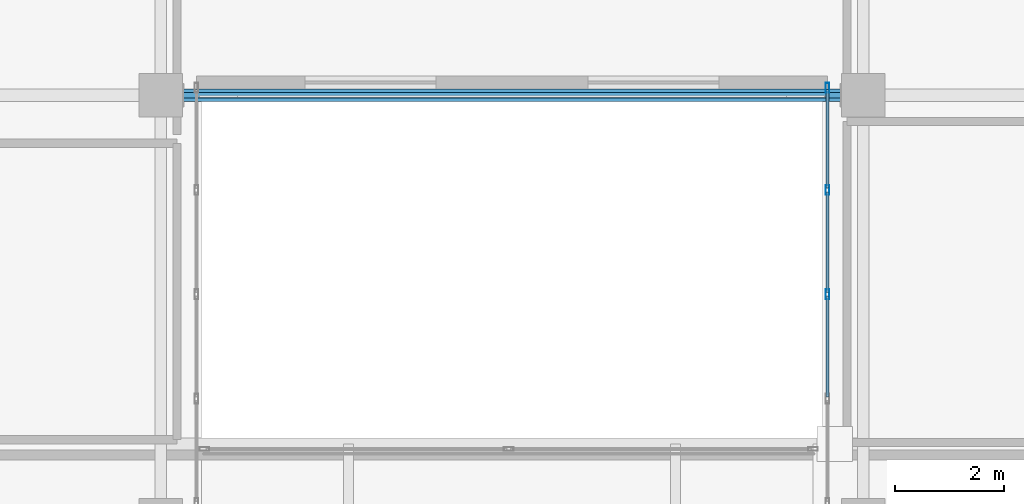
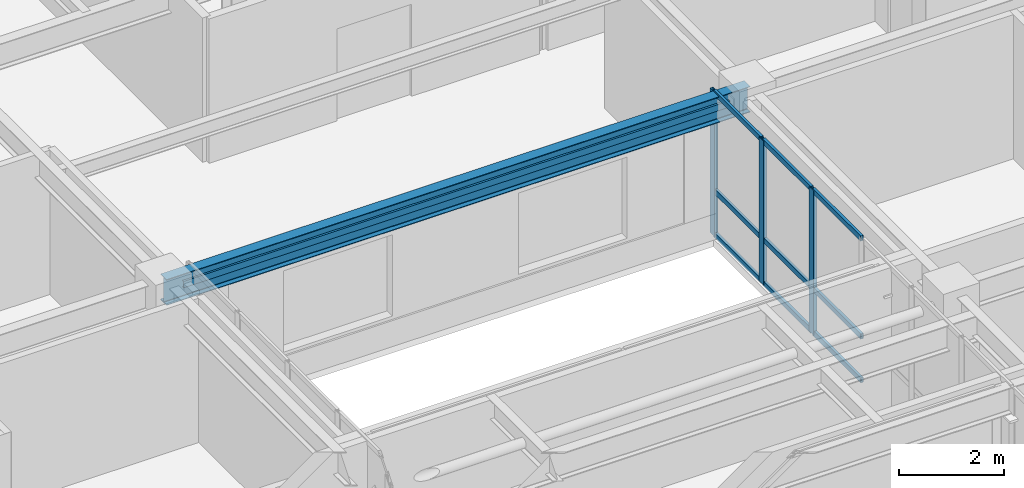
# One storey, part 6 of 26: 13 members, 1 beam, 1 element without a shape of its own.
"""IFC4 building model written with IfcOpenShell, lengths in metres."""

from ifc_helpers import new_model, si_unit, direction, frame, origin, origin_2d, place, context, subcontext, project, spatial, hollow_rectangle, i_section, extrude, source, transform, mapped, material, layer, layer_set, material_profile, profile_set, type_object, type_shapes, element, aggregate, save


model = new_model("IFC4")

# Units and contexts
model_context = context("Model", 3, precision=1e-05, world=origin(), true_north=direction((0.0, 1.0)))
body_context = subcontext(model_context, "Body", "Model", "MODEL_VIEW")
ifc_project = project(units=[si_unit("LENGTHUNIT", "METRE"), si_unit("AREAUNIT", "SQUARE_METRE"), si_unit("VOLUMEUNIT", "CUBIC_METRE"), si_unit("PLANEANGLEUNIT", "RADIAN"), si_unit("MASSUNIT", "GRAM", prefix="KILO")], contexts=[model_context])

# Site, building, storey
site_placement = place(None, origin())
site = spatial("IfcSite", under=ifc_project, at=site_placement, CompositionType="ELEMENT")
building_placement = place(site_placement, origin())
building = spatial("IfcBuilding", under=site, at=building_placement, Name="Tolvann Quenvar Hotel", CompositionType="ELEMENT")
storey_placement = place(building_placement, frame((0.0, 0.0, 168.35009765625)))
storey = spatial("IfcBuildingStorey", under=building, at=storey_placement, Name="L44", CompositionType="ELEMENT", Elevation=168.35009765625)

# Beam
ifc_material_1 = material(Name="Steel Grade 350", Category="steel")
ifc_material_profile_1 = material_profile(ifc_material_1, i_section(OverallWidth=0.22802734375, OverallDepth=0.60205078125, WebThickness=0.010498046875, FlangeThickness=0.014892578125, FilletRadius=0.013916015625, at=origin_2d()), Name="610UB101")
ifc_profile_set_1 = profile_set([ifc_material_profile_1], Name="Steel Grade 350")
beam_type = type_object("IfcBeamType", Name="BM_GIRD_610UB101", PredefinedType="BEAM", material=ifc_profile_set_1)
shared_shape_1 = source(origin(), body_context, "Body", "SweptSolid", [
    extrude(i_section(OverallWidth=0.22802734375, OverallDepth=0.60205078125, WebThickness=0.010498046875, FlangeThickness=0.014892578125, FilletRadius=0.013916015625, at=origin_2d()), origin(), (0.0, 0.0, 1.0), 12.89990234375),
])
type_shapes(beam_type, [shared_shape_1])
beam_placement = place(storey_placement, frame((22.050048828125, 16.0, 3.06884765625), z_axis=(1.0, 0.0, 0.0), x_axis=(0.0, 1.0, 0.0)))
element("IfcBeam", 1, at=beam_placement, inside=storey, type_object=beam_type, Name="BM-L44-EW-4-E4-F4", PredefinedType="BEAM", context=body_context, shape_type="MappedRepresentation", body=[
    mapped(shared_shape_1, transform((0.0, 0.0, 0.0), x_axis=(1.0, 0.0, 0.0), y_axis=(0.0, 1.0, 0.0), z_axis=(0.0, 0.0, 1.0), scale=1.0)),
])

# Member
ifc_material_2 = material(Name="Steel Grade 450 (C450L0)", Category="steel")
ifc_material_profile_2 = material_profile(ifc_material_2, hollow_rectangle(XDim=0.10009765625, YDim=0.14990234375, WallThickness=0.006103515625, at=origin_2d()), Name="150x100x6RHS")
ifc_profile_set_2 = profile_set([ifc_material_profile_2], Name="Steel Grade 450 (C450L0)")
member_type_1 = type_object("IfcMemberType", Name="MEM_GIRT_150RHS", PredefinedType="CHORD", material=ifc_profile_set_2)
shared_shape_2 = source(origin(), body_context, "Body", "SweptSolid", [
    extrude(hollow_rectangle(XDim=0.10009765625, YDim=0.14990234375, WallThickness=0.006103515625, at=origin_2d()), origin(), (0.0, 0.0, 1.0), 12.06982421875),
])
type_shapes(member_type_1, [shared_shape_2])
member_1_placement = place(storey_placement, frame((22.465087890625, 16.0, 3.06982421875), z_axis=(1.0, 0.0, 0.0), x_axis=(0.0, 1.0, 0.0)))
element("IfcMember", 2, at=member_1_placement, inside=storey, type_object=member_type_1, Name="Atrium Slot Spandrel Girt (L44)", PredefinedType="CHORD", context=body_context, shape_type="MappedRepresentation", body=[
    mapped(shared_shape_2, transform((0.0, 0.0, 0.0), x_axis=(1.0, 0.0, 0.0), y_axis=(0.0, 1.0, 0.0), z_axis=(0.0, 0.0, 1.0), scale=1.0)),
])

# Curtain wall, members
ifc_material_3 = material(Name="Thermally broken anodised architectural aluminium 6063-T6 and laminated low-E glass", Category="aluminium")
ifc_layer = layer(ifc_material_3, 0.179931640625)
ifc_layer_set = layer_set([ifc_layer], Name="Thermally broken anodised architectural aluminium 6063-T6 and laminated low-E glass")
curtain_wall_type = type_object("IfcCurtainWallType", Name="CW_SYS_SLOT_03", PredefinedType="USERDEFINED", material=ifc_layer_set)
curtain_wall_placement = place(storey_placement, origin())
curtain_wall = element("IfcCurtainWall", 3, at=curtain_wall_placement, inside=storey, type_object=curtain_wall_type, Name="Curtain Wall CW-SLOT-03 (CWR-L44-E07)", ObjectType="UNITISED CURTAIN WALL", PredefinedType="USERDEFINED")
ifc_material_4 = material(Name="Anodised architectural aluminium 6063-T6 framing", Category="aluminium")
ifc_material_profile_3 = material_profile(ifc_material_4, hollow_rectangle(XDim=0.070068359375, YDim=0.179931640625, WallThickness=0.00390625, at=origin_2d()), Name="180x70x4RHS")
ifc_profile_set_3 = profile_set([ifc_material_profile_3], Name="Anodised architectural aluminium 6063-T6 framing")
member_type_2 = type_object("IfcMemberType", Name="CW_MULL_180x70", PredefinedType="MULLION", material=ifc_profile_set_3)
shared_shape_3 = source(origin(), body_context, "Body", "SweptSolid", [
    extrude(hollow_rectangle(XDim=0.070068359375, YDim=0.179931640625, WallThickness=0.00390625, at=origin_2d()), origin(), (0.0, 0.0, 1.0), 3.369873046875),
])
type_shapes(member_type_2, [shared_shape_3])
member_2_placement = place(storey_placement, frame((34.2900390625, 16.139892578125, 0.0), z_axis=(0.0, 0.0, 1.0), x_axis=(1.0, 0.0, 0.0)))
member_2 = element("IfcMember", 4, at=member_2_placement, type_object=member_type_2, Name="CW-SLOT-03 mullion 1", PredefinedType="MULLION", context=body_context, shape_type="MappedRepresentation", body=[
    mapped(shared_shape_3, transform((0.0, 0.0, 0.0), x_axis=(1.0, 0.0, 0.0), y_axis=(0.0, 1.0, 0.0), z_axis=(0.0, 0.0, 1.0), scale=1.0)),
])
member_3_placement = place(storey_placement, frame((34.2900390625, 14.2607421875, 0.0), z_axis=(0.0, 0.0, 1.0), x_axis=(1.0, 0.0, 0.0)))
member_3 = element("IfcMember", 5, at=member_3_placement, type_object=member_type_2, Name="CW-SLOT-03 mullion 2", PredefinedType="MULLION", context=body_context, shape_type="MappedRepresentation", body=[
    mapped(shared_shape_3, transform((0.0, 0.0, 0.0), x_axis=(1.0, 0.0, 0.0), y_axis=(0.0, 1.0, 0.0), z_axis=(0.0, 0.0, 1.0), scale=1.0)),
])
member_4_placement = place(storey_placement, frame((34.2900390625, 12.346435546875, 0.0), z_axis=(0.0, 0.0, 1.0), x_axis=(1.0, 0.0, 0.0)))
member_4 = element("IfcMember", 6, at=member_4_placement, type_object=member_type_2, Name="CW-SLOT-03 mullion 3", PredefinedType="MULLION", context=body_context, shape_type="MappedRepresentation", body=[
    mapped(shared_shape_3, transform((0.0, 0.0, 0.0), x_axis=(1.0, 0.0, 0.0), y_axis=(0.0, 1.0, 0.0), z_axis=(0.0, 0.0, 1.0), scale=1.0)),
])
ifc_material_profile_4 = material_profile(ifc_material_4, hollow_rectangle(XDim=0.06005859375, YDim=0.1201171875, WallThickness=0.00341796875, at=origin_2d()), Name="120x60x3.5RHS")
ifc_profile_set_4 = profile_set([ifc_material_profile_4], Name="Anodised architectural aluminium 6063-T6 framing")
member_type_3 = type_object("IfcMemberType", Name="CW_TRAN_120x60", PredefinedType="USERDEFINED", material=ifc_profile_set_4)
shared_shape_4 = source(origin(), body_context, "Body", "SweptSolid", [
    extrude(hollow_rectangle(XDim=0.06005859375, YDim=0.1201171875, WallThickness=0.00341796875, at=origin_2d()), origin(), (0.0, 0.0, 1.0), 1.809326171875),
])
member_5_placement = place(storey_placement, frame((34.2900390625, 16.10498046875, 0.02978515625), z_axis=(0.0, -1.0, 0.0), x_axis=(1.0, 0.0, 0.0)))
member_5 = element("IfcMember", 7, at=member_5_placement, type_object=member_type_3, Name="CW-SLOT-03 transom 1.1", ObjectType="TRANSOM", PredefinedType="USERDEFINED", context=body_context, shape_type="MappedRepresentation", body=[
    mapped(shared_shape_4, transform((0.0, 0.0, 0.0), x_axis=(1.0, 0.0, 0.0), y_axis=(0.0, 1.0, 0.0), z_axis=(0.0, 0.0, 1.0), scale=1.0)),
])
member_6_placement = place(storey_placement, frame((34.2900390625, 16.10498046875, 1.0498046875), z_axis=(0.0, -1.0, 0.0), x_axis=(1.0, 0.0, 0.0)))
member_6 = element("IfcMember", 8, at=member_6_placement, type_object=member_type_3, Name="CW-SLOT-03 transom 1.2", ObjectType="TRANSOM", PredefinedType="USERDEFINED", context=body_context, shape_type="MappedRepresentation", body=[
    mapped(shared_shape_4, transform((0.0, 0.0, 0.0), x_axis=(1.0, 0.0, 0.0), y_axis=(0.0, 1.0, 0.0), z_axis=(0.0, 0.0, 1.0), scale=1.0)),
])
member_7_placement = place(storey_placement, frame((34.2900390625, 16.10498046875, 3.33984375), z_axis=(0.0, -1.0, 0.0), x_axis=(1.0, 0.0, 0.0)))
member_7 = element("IfcMember", 9, at=member_7_placement, type_object=member_type_3, Name="CW-SLOT-03 transom 1.3", ObjectType="TRANSOM", PredefinedType="USERDEFINED", context=body_context, shape_type="MappedRepresentation", body=[
    mapped(shared_shape_4, transform((0.0, 0.0, 0.0), x_axis=(1.0, 0.0, 0.0), y_axis=(0.0, 1.0, 0.0), z_axis=(0.0, 0.0, 1.0), scale=1.0)),
])
shared_shape_5 = source(origin(), body_context, "Body", "SweptSolid", [
    extrude(hollow_rectangle(XDim=0.06005859375, YDim=0.1201171875, WallThickness=0.00341796875, at=origin_2d()), origin(), (0.0, 0.0, 1.0), 1.844482421875),
])
type_shapes(member_type_3, [shared_shape_4, shared_shape_5])
member_8_placement = place(storey_placement, frame((34.2900390625, 14.225830078125, 0.02978515625), z_axis=(0.0, -1.0, 0.0), x_axis=(1.0, 0.0, 0.0)))
member_8 = element("IfcMember", 10, at=member_8_placement, type_object=member_type_3, Name="CW-SLOT-03 transom 2.1", ObjectType="TRANSOM", PredefinedType="USERDEFINED", context=body_context, shape_type="MappedRepresentation", body=[
    mapped(shared_shape_5, transform((0.0, 0.0, 0.0), x_axis=(1.0, 0.0, 0.0), y_axis=(0.0, 1.0, 0.0), z_axis=(0.0, 0.0, 1.0), scale=1.0)),
])
member_9_placement = place(storey_placement, frame((34.2900390625, 14.225830078125, 1.0498046875), z_axis=(0.0, -1.0, 0.0), x_axis=(1.0, 0.0, 0.0)))
member_9 = element("IfcMember", 11, at=member_9_placement, type_object=member_type_3, Name="CW-SLOT-03 transom 2.2", ObjectType="TRANSOM", PredefinedType="USERDEFINED", context=body_context, shape_type="MappedRepresentation", body=[
    mapped(shared_shape_5, transform((0.0, 0.0, 0.0), x_axis=(1.0, 0.0, 0.0), y_axis=(0.0, 1.0, 0.0), z_axis=(0.0, 0.0, 1.0), scale=1.0)),
])
member_10_placement = place(storey_placement, frame((34.2900390625, 14.225830078125, 3.33984375), z_axis=(0.0, -1.0, 0.0), x_axis=(1.0, 0.0, 0.0)))
member_10 = element("IfcMember", 12, at=member_10_placement, type_object=member_type_3, Name="CW-SLOT-03 transom 2.3", ObjectType="TRANSOM", PredefinedType="USERDEFINED", context=body_context, shape_type="MappedRepresentation", body=[
    mapped(shared_shape_5, transform((0.0, 0.0, 0.0), x_axis=(1.0, 0.0, 0.0), y_axis=(0.0, 1.0, 0.0), z_axis=(0.0, 0.0, 1.0), scale=1.0)),
])
member_11_placement = place(storey_placement, frame((34.2900390625, 12.3115234375, 0.02978515625), z_axis=(0.0, -1.0, 0.0), x_axis=(1.0, 0.0, 0.0)))
member_11 = element("IfcMember", 13, at=member_11_placement, type_object=member_type_3, Name="CW-SLOT-03 transom 3.1", ObjectType="TRANSOM", PredefinedType="USERDEFINED", context=body_context, shape_type="MappedRepresentation", body=[
    mapped(shared_shape_5, transform((0.0, 0.0, 0.0), x_axis=(1.0, 0.0, 0.0), y_axis=(0.0, 1.0, 0.0), z_axis=(0.0, 0.0, 1.0), scale=1.0)),
])
member_12_placement = place(storey_placement, frame((34.2900390625, 12.3115234375, 1.0498046875), z_axis=(0.0, -1.0, 0.0), x_axis=(1.0, 0.0, 0.0)))
member_12 = element("IfcMember", 14, at=member_12_placement, type_object=member_type_3, Name="CW-SLOT-03 transom 3.2", ObjectType="TRANSOM", PredefinedType="USERDEFINED", context=body_context, shape_type="MappedRepresentation", body=[
    mapped(shared_shape_5, transform((0.0, 0.0, 0.0), x_axis=(1.0, 0.0, 0.0), y_axis=(0.0, 1.0, 0.0), z_axis=(0.0, 0.0, 1.0), scale=1.0)),
])
member_13_placement = place(storey_placement, frame((34.2900390625, 12.3115234375, 3.33984375), z_axis=(0.0, -1.0, 0.0), x_axis=(1.0, 0.0, 0.0)))
member_13 = element("IfcMember", 15, at=member_13_placement, type_object=member_type_3, Name="CW-SLOT-03 transom 3.3", ObjectType="TRANSOM", PredefinedType="USERDEFINED", context=body_context, shape_type="MappedRepresentation", body=[
    mapped(shared_shape_5, transform((0.0, 0.0, 0.0), x_axis=(1.0, 0.0, 0.0), y_axis=(0.0, 1.0, 0.0), z_axis=(0.0, 0.0, 1.0), scale=1.0)),
])
aggregate(curtain_wall, [member_2, member_3, member_4, member_5, member_6, member_7, member_8, member_9, member_10, member_11, member_12, member_13])

save(model, "model.ifc")
